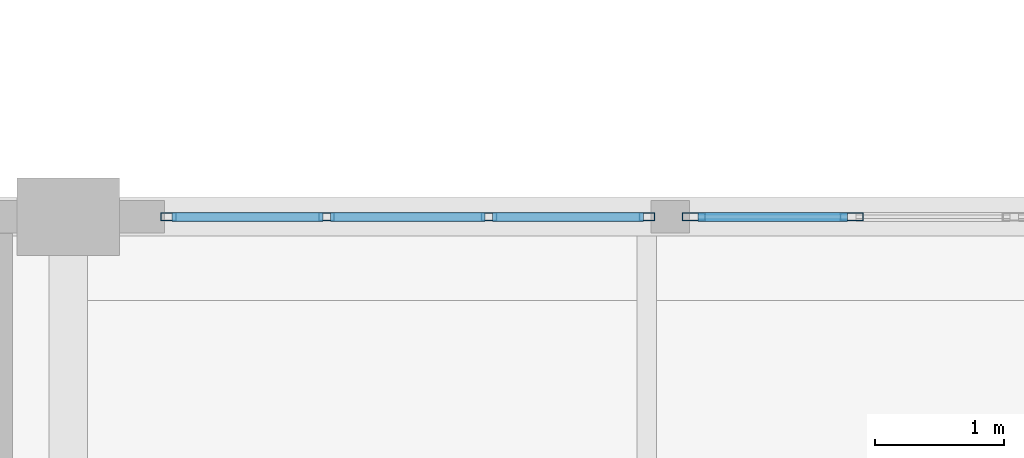
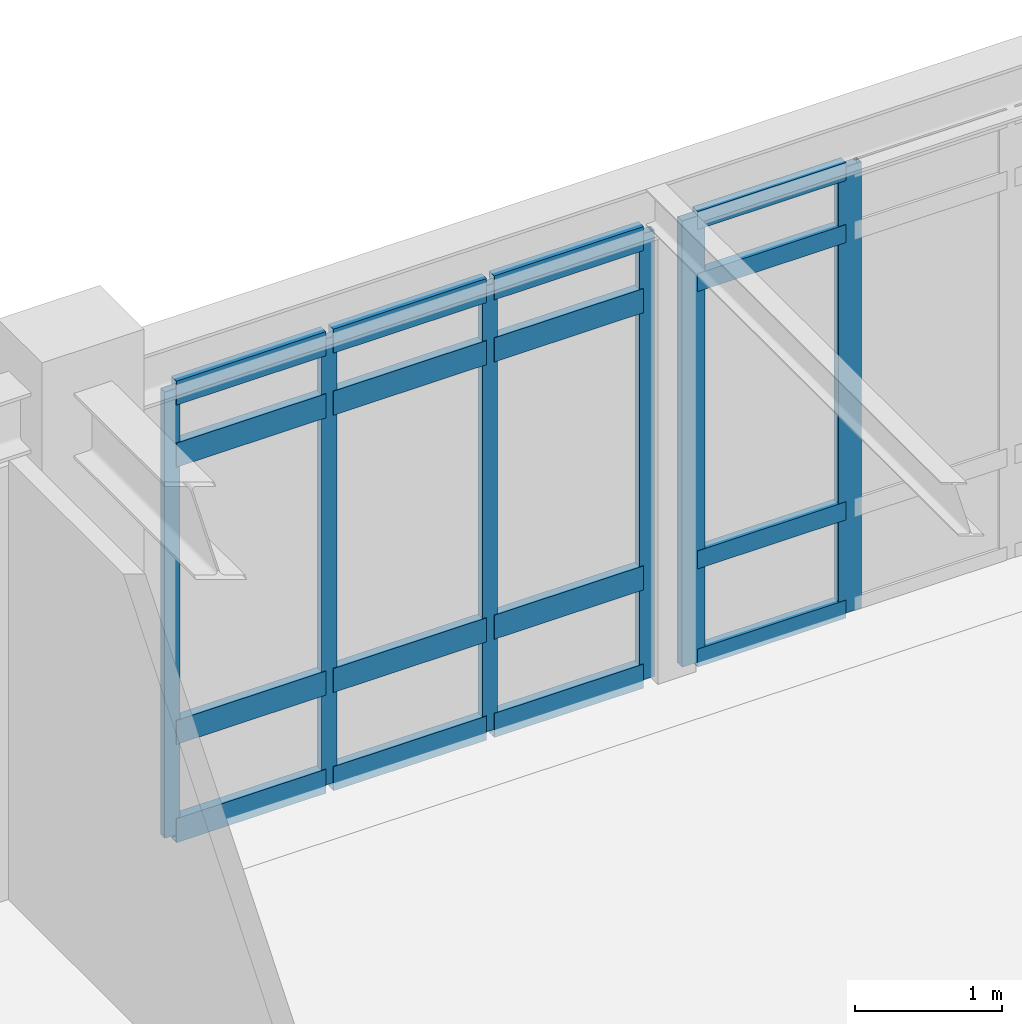
# One storey, part 9 of 61: 22 members, 2 elements without a shape of their own.
"""IFC4 building model written with IfcOpenShell, lengths in metres."""

from ifc_helpers import new_model, si_unit, direction, frame, origin, origin_2d, place, context, subcontext, project, spatial, hollow_rectangle, extrude, material, layer, layer_set, material_profile, profile_set, type_object, element, aggregate, save


model = new_model("IFC4")

# Units and contexts
model_context = context("Model", 3, precision=1e-05, world=origin(), true_north=direction((0.0, 1.0)))
body_context = subcontext(model_context, "Body", "Model", "MODEL_VIEW")
ifc_project = project(units=[si_unit("LENGTHUNIT", "METRE"), si_unit("AREAUNIT", "SQUARE_METRE"), si_unit("VOLUMEUNIT", "CUBIC_METRE"), si_unit("PLANEANGLEUNIT", "RADIAN"), si_unit("MASSUNIT", "GRAM", prefix="KILO")], contexts=[model_context])

# Site, building, storey
site_placement = place(None, origin())
site = spatial("IfcSite", under=ifc_project, at=site_placement, CompositionType="ELEMENT")
building_placement = place(site_placement, origin())
building = spatial("IfcBuilding", under=site, at=building_placement, Name="Fikremerkos Civic Library", CompositionType="ELEMENT")
storey_placement = place(building_placement, frame((0.0, 0.0, 14.39990234375)))
storey = spatial("IfcBuildingStorey", under=building, at=storey_placement, Name="L03", CompositionType="ELEMENT", Elevation=14.39990234375)

# Curtain wall, members
ifc_material = material(Name="Anodized aluminium Frame", Category="aluminium")
ifc_layer_1 = layer(ifc_material, 0.159912109375, Name="Anodized aluminium Frame")
ifc_layer_set_1 = layer_set([ifc_layer_1], Name="Anodized aluminium Frame")
curtain_wall_type_1 = type_object("IfcCurtainWallType", Name="Unitised curtain wall CW-09 3600x3400", PredefinedType="USERDEFINED", material=ifc_layer_set_1)
curtain_wall_1_placement = place(storey_placement, origin())
curtain_wall_1 = element("IfcCurtainWall", 1, at=curtain_wall_1_placement, inside=storey, type_object=curtain_wall_type_1, Name="Unitised curtain wall CW-09 L03 #189", ObjectType="UNITISED CURTAIN WALL", PredefinedType="USERDEFINED")
ifc_material_profile_1 = material_profile(ifc_material, hollow_rectangle(XDim=0.06494140625, YDim=0.179931640625, WallThickness=0.00439453125, at=origin_2d()), Name="ALU 180x65x4.5")
ifc_profile_set_1 = profile_set([ifc_material_profile_1], Name="Anodized aluminium Frame")
member_type_1 = type_object("IfcMemberType", Name="Curtain mullion CWM-01 ALU 180x65x4.5", PredefinedType="MULLION", material=ifc_profile_set_1)
member_1_placement = place(storey_placement, frame((37.565185546875, 31.199951171875, 0.0), z_axis=(0.0, 0.0, 1.0), x_axis=(0.0, 1.0, 0.0)))
member_1 = element("IfcMember", 2, at=member_1_placement, type_object=member_type_1, Name="CW-09 mullion 1", PredefinedType="MULLION", context=body_context, shape_type="SweptSolid", body=[
    extrude(hollow_rectangle(XDim=0.06494140625, YDim=0.179931640625, WallThickness=0.00439453125, at=origin_2d()), origin(), (0.0, 0.0, 1.0), 3.7001953125),
])
member_2_placement = place(storey_placement, frame((38.794189453125, 31.199951171875, 0.0), z_axis=(0.0, 0.0, 1.0), x_axis=(0.0, 1.0, 0.0)))
member_2 = element("IfcMember", 3, at=member_2_placement, type_object=member_type_1, Name="CW-09 mullion 2", PredefinedType="MULLION", context=body_context, shape_type="SweptSolid", body=[
    extrude(hollow_rectangle(XDim=0.06494140625, YDim=0.179931640625, WallThickness=0.00439453125, at=origin_2d()), origin(), (0.0, 0.0, 1.0), 3.7001953125),
])

ifc_layer_2 = layer(ifc_material, 0.159912109375, Name="Anodized aluminium Frame")
ifc_layer_set_2 = layer_set([ifc_layer_2], Name="Anodized aluminium Frame")
curtain_wall_type_2 = type_object("IfcCurtainWallType", Name="Unitised curtain wall CW-08 4500x4100", PredefinedType="USERDEFINED", material=ifc_layer_set_2)
curtain_wall_2_placement = place(storey_placement, origin())
curtain_wall_2 = element("IfcCurtainWall", 4, at=curtain_wall_2_placement, inside=storey, type_object=curtain_wall_type_2, Name="Unitised curtain wall CW-08 L03 #188", ObjectType="UNITISED CURTAIN WALL", PredefinedType="USERDEFINED")
ifc_material_profile_2 = material_profile(ifc_material, hollow_rectangle(XDim=0.06005859375, YDim=0.1201171875, WallThickness=0.00390625, at=origin_2d()), Name="ALU 120x60x4")
ifc_profile_set_2 = profile_set([ifc_material_profile_2], Name="Anodized aluminium Frame")
member_type_2 = type_object("IfcMemberType", Name="Curtain mullion CWM-04 ALU 120x60x4", PredefinedType="MULLION", material=ifc_profile_set_2)
member_3_placement = place(storey_placement, frame((33.47802734375, 31.199951171875, 0.0), z_axis=(0.0, 0.0, 1.0), x_axis=(0.0, 1.0, 0.0)))
member_3 = element("IfcMember", 5, at=member_3_placement, type_object=member_type_2, Name="CW-08 mullion 1", PredefinedType="MULLION", context=body_context, shape_type="SweptSolid", body=[
    extrude(hollow_rectangle(XDim=0.06005859375, YDim=0.1201171875, WallThickness=0.00390625, at=origin_2d()), origin(), (0.0, 0.0, 1.0), 3.7001953125),
])
member_4_placement = place(storey_placement, frame((34.70947265625, 31.199951171875, 0.0), z_axis=(0.0, 0.0, 1.0), x_axis=(0.0, 1.0, 0.0)))
member_4 = element("IfcMember", 6, at=member_4_placement, type_object=member_type_2, Name="CW-08 mullion 2", PredefinedType="MULLION", context=body_context, shape_type="SweptSolid", body=[
    extrude(hollow_rectangle(XDim=0.06005859375, YDim=0.1201171875, WallThickness=0.00390625, at=origin_2d()), origin(), (0.0, 0.0, 1.0), 3.7001953125),
])
member_5_placement = place(storey_placement, frame((35.97119140625, 31.199951171875, 0.0), z_axis=(0.0, 0.0, 1.0), x_axis=(0.0, 1.0, 0.0)))
member_5 = element("IfcMember", 7, at=member_5_placement, type_object=member_type_2, Name="CW-08 mullion 3", PredefinedType="MULLION", context=body_context, shape_type="SweptSolid", body=[
    extrude(hollow_rectangle(XDim=0.06005859375, YDim=0.1201171875, WallThickness=0.00390625, at=origin_2d()), origin(), (0.0, 0.0, 1.0), 3.7001953125),
])
member_6_placement = place(storey_placement, frame((37.20263671875, 31.199951171875, 0.0), z_axis=(0.0, 0.0, 1.0), x_axis=(0.0, 1.0, 0.0)))
member_6 = element("IfcMember", 8, at=member_6_placement, type_object=member_type_2, Name="CW-08 mullion 4", PredefinedType="MULLION", context=body_context, shape_type="SweptSolid", body=[
    extrude(hollow_rectangle(XDim=0.06005859375, YDim=0.1201171875, WallThickness=0.00390625, at=origin_2d()), origin(), (0.0, 0.0, 1.0), 3.7001953125),
])

# Member
ifc_material_profile_3 = material_profile(ifc_material, hollow_rectangle(XDim=0.070068359375, YDim=0.14990234375, WallThickness=0.00439453125, at=origin_2d()), Name="ALU 150x70x4.5")
ifc_profile_set_3 = profile_set([ifc_material_profile_3], Name="Anodized aluminium Frame")
member_type_3 = type_object("IfcMemberType", Name="Curtain transom CWT-01 ALU 150x70x4.5", PredefinedType="USERDEFINED", material=ifc_profile_set_3)
member_7_placement = place(storey_placement, frame((37.59765625, 31.199951171875, 0.03515625), z_axis=(1.0, 0.0, 0.0), x_axis=(0.0, 1.0, 0.0)))
member_7 = element("IfcMember", 9, at=member_7_placement, type_object=member_type_3, Name="CW-09 transom 1.1", ObjectType="TRANSOM", PredefinedType="USERDEFINED", context=body_context, shape_type="SweptSolid", body=[
    extrude(hollow_rectangle(XDim=0.070068359375, YDim=0.14990234375, WallThickness=0.00439453125, at=origin_2d()), origin(), (0.0, 0.0, 1.0), 1.1640625),
])

member_8_placement = place(storey_placement, frame((37.59765625, 31.199951171875, 0.85009765625), z_axis=(1.0, 0.0, 0.0), x_axis=(0.0, 1.0, 0.0)))
member_8 = element("IfcMember", 10, at=member_8_placement, type_object=member_type_3, Name="CW-09 transom 1.2", ObjectType="TRANSOM", PredefinedType="USERDEFINED", context=body_context, shape_type="SweptSolid", body=[
    extrude(hollow_rectangle(XDim=0.070068359375, YDim=0.14990234375, WallThickness=0.00439453125, at=origin_2d()), origin(), (0.0, 0.0, 1.0), 1.1640625),
])

member_9_placement = place(storey_placement, frame((37.59765625, 31.199951171875, 3.150146484375), z_axis=(1.0, 0.0, 0.0), x_axis=(0.0, 1.0, 0.0)))
member_9 = element("IfcMember", 11, at=member_9_placement, type_object=member_type_3, Name="CW-09 transom 1.3", ObjectType="TRANSOM", PredefinedType="USERDEFINED", context=body_context, shape_type="SweptSolid", body=[
    extrude(hollow_rectangle(XDim=0.070068359375, YDim=0.14990234375, WallThickness=0.00439453125, at=origin_2d()), origin(), (0.0, 0.0, 1.0), 1.1640625),
])

member_10_placement = place(storey_placement, frame((37.59765625, 31.199951171875, 3.6650390625), z_axis=(1.0, 0.0, 0.0), x_axis=(0.0, 1.0, 0.0)))
member_10 = element("IfcMember", 12, at=member_10_placement, type_object=member_type_3, Name="CW-09 transom 1.4", ObjectType="TRANSOM", PredefinedType="USERDEFINED", context=body_context, shape_type="SweptSolid", body=[
    extrude(hollow_rectangle(XDim=0.070068359375, YDim=0.14990234375, WallThickness=0.00439453125, at=origin_2d()), origin(), (0.0, 0.0, 1.0), 1.1640625),
])

aggregate(curtain_wall_1, [member_1, member_2, member_7, member_8, member_9, member_10])

ifc_material_profile_4 = material_profile(ifc_material, hollow_rectangle(XDim=0.070068359375, YDim=0.199951171875, WallThickness=0.0048828125, at=origin_2d()), Name="ALU 200x70x5")
ifc_profile_set_4 = profile_set([ifc_material_profile_4], Name="Anodized aluminium Frame")
member_type_4 = type_object("IfcMemberType", Name="Curtain transom CWT-04 ALU 200x70x5", PredefinedType="USERDEFINED", material=ifc_profile_set_4)
member_11_placement = place(storey_placement, frame((33.508056640625, 31.199951171875, 0.03515625), z_axis=(1.0, 0.0, 0.0), x_axis=(0.0, 1.0, 0.0)))
member_11 = element("IfcMember", 13, at=member_11_placement, type_object=member_type_4, Name="CW-08 transom 1.1", ObjectType="TRANSOM", PredefinedType="USERDEFINED", context=body_context, shape_type="SweptSolid", body=[
    extrude(hollow_rectangle(XDim=0.070068359375, YDim=0.199951171875, WallThickness=0.0048828125, at=origin_2d()), origin(), (0.0, 0.0, 1.0), 1.17138671875),
])

member_12_placement = place(storey_placement, frame((33.508056640625, 31.199951171875, 0.85009765625), z_axis=(1.0, 0.0, 0.0), x_axis=(0.0, 1.0, 0.0)))
member_12 = element("IfcMember", 14, at=member_12_placement, type_object=member_type_4, Name="CW-08 transom 1.2", ObjectType="TRANSOM", PredefinedType="USERDEFINED", context=body_context, shape_type="SweptSolid", body=[
    extrude(hollow_rectangle(XDim=0.070068359375, YDim=0.199951171875, WallThickness=0.0048828125, at=origin_2d()), origin(), (0.0, 0.0, 1.0), 1.17138671875),
])

member_13_placement = place(storey_placement, frame((33.508056640625, 31.199951171875, 3.150146484375), z_axis=(1.0, 0.0, 0.0), x_axis=(0.0, 1.0, 0.0)))
member_13 = element("IfcMember", 15, at=member_13_placement, type_object=member_type_4, Name="CW-08 transom 1.3", ObjectType="TRANSOM", PredefinedType="USERDEFINED", context=body_context, shape_type="SweptSolid", body=[
    extrude(hollow_rectangle(XDim=0.070068359375, YDim=0.199951171875, WallThickness=0.0048828125, at=origin_2d()), origin(), (0.0, 0.0, 1.0), 1.17138671875),
])

member_14_placement = place(storey_placement, frame((33.508056640625, 31.199951171875, 3.6650390625), z_axis=(1.0, 0.0, 0.0), x_axis=(0.0, 1.0, 0.0)))
member_14 = element("IfcMember", 16, at=member_14_placement, type_object=member_type_4, Name="CW-08 transom 1.4", ObjectType="TRANSOM", PredefinedType="USERDEFINED", context=body_context, shape_type="SweptSolid", body=[
    extrude(hollow_rectangle(XDim=0.070068359375, YDim=0.199951171875, WallThickness=0.0048828125, at=origin_2d()), origin(), (0.0, 0.0, 1.0), 1.17138671875),
])

member_15_placement = place(storey_placement, frame((34.739501953125, 31.199951171875, 0.03515625), z_axis=(1.0, 0.0, 0.0), x_axis=(0.0, 1.0, 0.0)))
member_15 = element("IfcMember", 17, at=member_15_placement, type_object=member_type_4, Name="CW-08 transom 2.1", ObjectType="TRANSOM", PredefinedType="USERDEFINED", context=body_context, shape_type="SweptSolid", body=[
    extrude(hollow_rectangle(XDim=0.070068359375, YDim=0.199951171875, WallThickness=0.0048828125, at=origin_2d()), origin(), (0.0, 0.0, 1.0), 1.20166015625),
])

member_16_placement = place(storey_placement, frame((34.739501953125, 31.199951171875, 0.85009765625), z_axis=(1.0, 0.0, 0.0), x_axis=(0.0, 1.0, 0.0)))
member_16 = element("IfcMember", 18, at=member_16_placement, type_object=member_type_4, Name="CW-08 transom 2.2", ObjectType="TRANSOM", PredefinedType="USERDEFINED", context=body_context, shape_type="SweptSolid", body=[
    extrude(hollow_rectangle(XDim=0.070068359375, YDim=0.199951171875, WallThickness=0.0048828125, at=origin_2d()), origin(), (0.0, 0.0, 1.0), 1.20166015625),
])

member_17_placement = place(storey_placement, frame((34.739501953125, 31.199951171875, 3.150146484375), z_axis=(1.0, 0.0, 0.0), x_axis=(0.0, 1.0, 0.0)))
member_17 = element("IfcMember", 19, at=member_17_placement, type_object=member_type_4, Name="CW-08 transom 2.3", ObjectType="TRANSOM", PredefinedType="USERDEFINED", context=body_context, shape_type="SweptSolid", body=[
    extrude(hollow_rectangle(XDim=0.070068359375, YDim=0.199951171875, WallThickness=0.0048828125, at=origin_2d()), origin(), (0.0, 0.0, 1.0), 1.20166015625),
])

member_18_placement = place(storey_placement, frame((34.739501953125, 31.199951171875, 3.6650390625), z_axis=(1.0, 0.0, 0.0), x_axis=(0.0, 1.0, 0.0)))
member_18 = element("IfcMember", 20, at=member_18_placement, type_object=member_type_4, Name="CW-08 transom 2.4", ObjectType="TRANSOM", PredefinedType="USERDEFINED", context=body_context, shape_type="SweptSolid", body=[
    extrude(hollow_rectangle(XDim=0.070068359375, YDim=0.199951171875, WallThickness=0.0048828125, at=origin_2d()), origin(), (0.0, 0.0, 1.0), 1.20166015625),
])

member_19_placement = place(storey_placement, frame((36.001220703125, 31.199951171875, 0.03515625), z_axis=(1.0, 0.0, 0.0), x_axis=(0.0, 1.0, 0.0)))
member_19 = element("IfcMember", 21, at=member_19_placement, type_object=member_type_4, Name="CW-08 transom 3.1", ObjectType="TRANSOM", PredefinedType="USERDEFINED", context=body_context, shape_type="SweptSolid", body=[
    extrude(hollow_rectangle(XDim=0.070068359375, YDim=0.199951171875, WallThickness=0.0048828125, at=origin_2d()), origin(), (0.0, 0.0, 1.0), 1.17138671875),
])

member_20_placement = place(storey_placement, frame((36.001220703125, 31.199951171875, 0.85009765625), z_axis=(1.0, 0.0, 0.0), x_axis=(0.0, 1.0, 0.0)))
member_20 = element("IfcMember", 22, at=member_20_placement, type_object=member_type_4, Name="CW-08 transom 3.2", ObjectType="TRANSOM", PredefinedType="USERDEFINED", context=body_context, shape_type="SweptSolid", body=[
    extrude(hollow_rectangle(XDim=0.070068359375, YDim=0.199951171875, WallThickness=0.0048828125, at=origin_2d()), origin(), (0.0, 0.0, 1.0), 1.17138671875),
])

member_21_placement = place(storey_placement, frame((36.001220703125, 31.199951171875, 3.150146484375), z_axis=(1.0, 0.0, 0.0), x_axis=(0.0, 1.0, 0.0)))
member_21 = element("IfcMember", 23, at=member_21_placement, type_object=member_type_4, Name="CW-08 transom 3.3", ObjectType="TRANSOM", PredefinedType="USERDEFINED", context=body_context, shape_type="SweptSolid", body=[
    extrude(hollow_rectangle(XDim=0.070068359375, YDim=0.199951171875, WallThickness=0.0048828125, at=origin_2d()), origin(), (0.0, 0.0, 1.0), 1.17138671875),
])

member_22_placement = place(storey_placement, frame((36.001220703125, 31.199951171875, 3.6650390625), z_axis=(1.0, 0.0, 0.0), x_axis=(0.0, 1.0, 0.0)))
member_22 = element("IfcMember", 24, at=member_22_placement, type_object=member_type_4, Name="CW-08 transom 3.4", ObjectType="TRANSOM", PredefinedType="USERDEFINED", context=body_context, shape_type="SweptSolid", body=[
    extrude(hollow_rectangle(XDim=0.070068359375, YDim=0.199951171875, WallThickness=0.0048828125, at=origin_2d()), origin(), (0.0, 0.0, 1.0), 1.17138671875),
])

aggregate(curtain_wall_2, [member_3, member_4, member_5, member_6, member_11, member_12, member_13, member_14, member_15, member_16, member_17, member_18, member_19, member_20, member_21, member_22])

save(model, "model.ifc")
